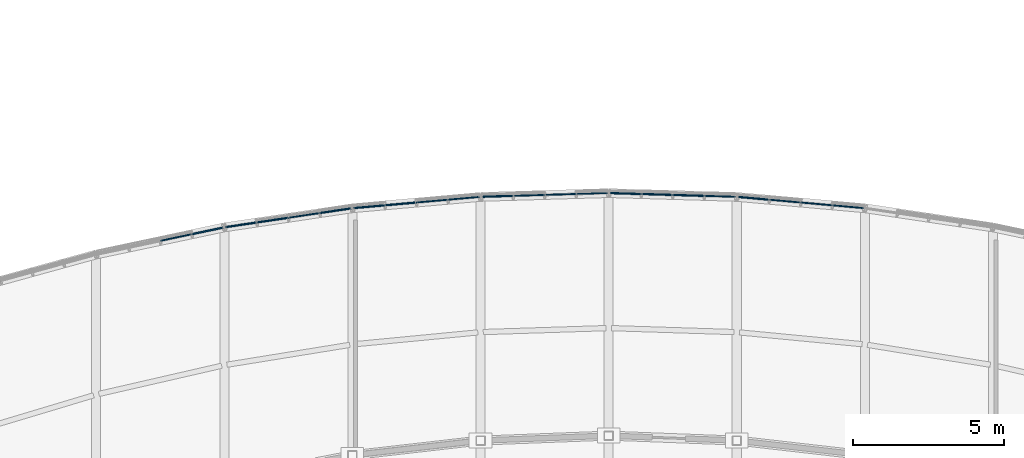
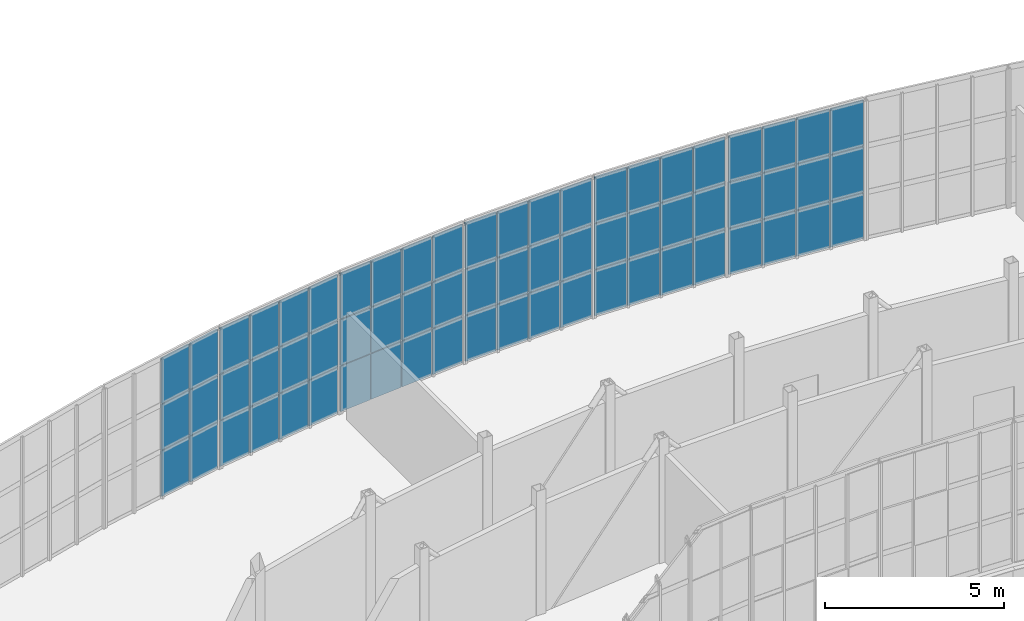
# One storey, part 45 of 66: 66 plates, 6 elements without a shape of their own.
"""IFC4 building model written with IfcOpenShell, lengths in metres."""

from ifc_helpers import new_model, si_unit, direction, frame, origin, origin_2d, place, context, subcontext, project, spatial, rectangle, extrude, material, layer, layer_set, type_object, element, aggregate, save


model = new_model("IFC4")

# Units and contexts
model_context = context("Model", 3, precision=1e-05, world=origin(), true_north=direction((0.0, 1.0)))
body_context = subcontext(model_context, "Body", "Model", "MODEL_VIEW")
ifc_project = project(units=[si_unit("LENGTHUNIT", "METRE"), si_unit("AREAUNIT", "SQUARE_METRE"), si_unit("VOLUMEUNIT", "CUBIC_METRE"), si_unit("PLANEANGLEUNIT", "RADIAN"), si_unit("MASSUNIT", "GRAM", prefix="KILO")], contexts=[model_context])

# Site, building, storey
site_placement = place(None, origin())
site = spatial("IfcSite", under=ifc_project, at=site_placement, CompositionType="ELEMENT")
building_placement = place(site_placement, origin())
building = spatial("IfcBuilding", under=site, at=building_placement, Name="Solvikara Media Centre", CompositionType="ELEMENT")
storey_placement = place(building_placement, frame((0.0, 0.0, 19.800048828125)))
storey = spatial("IfcBuildingStorey", under=building, at=storey_placement, Name="L04", CompositionType="ELEMENT", Elevation=19.800048828125)

# Curtain wall, plate
ifc_material_1 = material(Name="Anodised aluminium EN AW-6063", Category="aluminium")
curtain_wall_type = type_object("IfcCurtainWallType", Name="CW-02", PredefinedType="NOTDEFINED", material=ifc_material_1)
curtain_wall_1_placement = place(storey_placement, origin())
curtain_wall_1 = element("IfcCurtainWall", 1, at=curtain_wall_1_placement, inside=storey, type_object=curtain_wall_type, Name="CW-L04-NARC-02", PredefinedType="NOTDEFINED")
ifc_material_2 = material(Name="Laminated solar-control cyan vision glass", Category="glass")
ifc_layer_1 = layer(ifc_material_2, 0.035888671875)
ifc_layer_set_1 = layer_set([ifc_layer_1], Name="Laminated solar-control cyan vision glass")
plate_type_1 = type_object("IfcPlateType", Name="PN-01", PredefinedType="CURTAIN_PANEL", material=ifc_layer_set_1)
plate_1_placement = place(storey_placement, frame((87.64794921875, 39.990966796875, 1.62158203125), z_axis=(0.0, 0.0, 1.0), x_axis=(0.97837923005, 0.206818959981, 0.0)))
plate_1 = element("IfcPlate", 2, at=plate_1_placement, type_object=plate_type_1, Name="CW-L04-NARC-02-P0201", PredefinedType="CURTAIN_PANEL", context=body_context, shape_type="SweptSolid", body=[
    extrude(rectangle(XDim=1.0390625, YDim=0.035888671875, at=origin_2d()), origin(), (0.0, 0.0, 1.0), 1.556884765625),
])

# Curtain wall, plates
curtain_wall_2_placement = place(storey_placement, origin())
curtain_wall_2 = element("IfcCurtainWall", 3, at=curtain_wall_2_placement, inside=storey, type_object=curtain_wall_type, Name="CW-L04-NARC-03", PredefinedType="NOTDEFINED")
plate_2_placement = place(storey_placement, frame((89.806884765625, 40.412109375, 0.03466796875), z_axis=(0.0, 0.0, 1.0), x_axis=(0.989005541908, 0.147878457102, 0.0)))
plate_2 = element("IfcPlate", 4, at=plate_2_placement, type_object=plate_type_1, Name="CW-L04-NARC-03-P0000", PredefinedType="CURTAIN_PANEL", context=body_context, shape_type="SweptSolid", body=[
    extrude(rectangle(XDim=1.027099609375, YDim=0.035888671875, at=origin_2d()), origin(), (0.0, 0.0, 1.0), 1.556884765625),
])
plate_3_placement = place(storey_placement, frame((89.806884765625, 40.412109375, 3.20849609375), z_axis=(0.0, 0.0, 1.0), x_axis=(0.989005541908, 0.147878457102, 0.0)))
plate_3 = element("IfcPlate", 5, at=plate_3_placement, type_object=plate_type_1, Name="CW-L04-NARC-03-P0002", PredefinedType="CURTAIN_PANEL", context=body_context, shape_type="SweptSolid", body=[
    extrude(rectangle(XDim=1.027099609375, YDim=0.035888671875, at=origin_2d()), origin(), (0.0, 0.0, 1.0), 1.556884765625),
])
plate_4_placement = place(storey_placement, frame((90.85302734375, 40.568115234375, 1.62158203125), z_axis=(0.0, 0.0, 1.0), x_axis=(0.989005541908, 0.147878457102, 0.0)))
plate_4 = element("IfcPlate", 6, at=plate_4_placement, type_object=plate_type_1, Name="CW-L04-NARC-03-P0101", PredefinedType="CURTAIN_PANEL", context=body_context, shape_type="SweptSolid", body=[
    extrude(rectangle(XDim=1.027099609375, YDim=0.035888671875, at=origin_2d()), origin(), (0.0, 0.0, 1.0), 1.556884765625),
])
plate_5_placement = place(storey_placement, frame((90.85302734375, 40.568115234375, 3.20849609375), z_axis=(0.0, 0.0, 1.0), x_axis=(0.989005541908, 0.147878457102, 0.0)))
plate_5 = element("IfcPlate", 7, at=plate_5_placement, type_object=plate_type_1, Name="CW-L04-NARC-03-P0102", PredefinedType="CURTAIN_PANEL", context=body_context, shape_type="SweptSolid", body=[
    extrude(rectangle(XDim=1.027099609375, YDim=0.035888671875, at=origin_2d()), origin(), (0.0, 0.0, 1.0), 1.556884765625),
])
plate_6_placement = place(storey_placement, frame((91.89794921875, 40.72509765625, 1.62158203125), z_axis=(0.0, 0.0, 1.0), x_axis=(0.989005541908, 0.147878457102, 0.0)))
plate_6 = element("IfcPlate", 8, at=plate_6_placement, type_object=plate_type_1, Name="CW-L04-NARC-03-P0201", PredefinedType="CURTAIN_PANEL", context=body_context, shape_type="SweptSolid", body=[
    extrude(rectangle(XDim=1.027099609375, YDim=0.035888671875, at=origin_2d()), origin(), (0.0, 0.0, 1.0), 1.556884765625),
])
plate_7_placement = place(storey_placement, frame((91.89794921875, 40.72509765625, 3.20849609375), z_axis=(0.0, 0.0, 1.0), x_axis=(0.989005541908, 0.147878457102, 0.0)))
plate_7 = element("IfcPlate", 9, at=plate_7_placement, type_object=plate_type_1, Name="CW-L04-NARC-03-P0202", PredefinedType="CURTAIN_PANEL", context=body_context, shape_type="SweptSolid", body=[
    extrude(rectangle(XDim=1.027099609375, YDim=0.035888671875, at=origin_2d()), origin(), (0.0, 0.0, 1.0), 1.556884765625),
])

curtain_wall_3_placement = place(storey_placement, origin())
curtain_wall_3 = element("IfcCurtainWall", 10, at=curtain_wall_3_placement, inside=storey, type_object=curtain_wall_type, Name="CW-L04-NARC-04", PredefinedType="NOTDEFINED")
plate_8_placement = place(storey_placement, frame((95.10302734375, 41.10595703125, 0.03466796875), z_axis=(0.0, 0.0, 1.0), x_axis=(0.99608438842, 0.088407528781, 0.0)))
plate_8 = element("IfcPlate", 11, at=plate_8_placement, type_object=plate_type_1, Name="CW-L04-NARC-04-P0100", PredefinedType="CURTAIN_PANEL", context=body_context, shape_type="SweptSolid", body=[
    extrude(rectangle(XDim=1.01904296875, YDim=0.035888671875, at=origin_2d()), origin(), (0.0, 0.0, 1.0), 1.556884765625),
])
plate_9_placement = place(storey_placement, frame((96.14794921875, 41.198974609375, 1.62158203125), z_axis=(0.0, 0.0, 1.0), x_axis=(0.99608438842, 0.088407528781, 0.0)))
plate_9 = element("IfcPlate", 12, at=plate_9_placement, type_object=plate_type_1, Name="CW-L04-NARC-04-P0201", PredefinedType="CURTAIN_PANEL", context=body_context, shape_type="SweptSolid", body=[
    extrude(rectangle(XDim=1.01904296875, YDim=0.035888671875, at=origin_2d()), origin(), (0.0, 0.0, 1.0), 1.556884765625),
])
plate_10_placement = place(storey_placement, frame((96.14794921875, 41.198974609375, 3.20849609375), z_axis=(0.0, 0.0, 1.0), x_axis=(0.99608438842, 0.088407528781, 0.0)))
plate_10 = element("IfcPlate", 13, at=plate_10_placement, type_object=plate_type_1, Name="CW-L04-NARC-04-P0202", PredefinedType="CURTAIN_PANEL", context=body_context, shape_type="SweptSolid", body=[
    extrude(rectangle(XDim=1.01904296875, YDim=0.035888671875, at=origin_2d()), origin(), (0.0, 0.0, 1.0), 1.556884765625),
])
plate_11_placement = place(storey_placement, frame((97.193115234375, 41.2919921875, 0.03466796875), z_axis=(0.0, 0.0, 1.0), x_axis=(0.99608438842, 0.088407528781, 0.0)))
plate_11 = element("IfcPlate", 14, at=plate_11_placement, type_object=plate_type_1, Name="CW-L04-NARC-04-P0300", PredefinedType="CURTAIN_PANEL", context=body_context, shape_type="SweptSolid", body=[
    extrude(rectangle(XDim=1.01904296875, YDim=0.035888671875, at=origin_2d()), origin(), (0.0, 0.0, 1.0), 1.556884765625),
])
plate_12_placement = place(storey_placement, frame((97.193115234375, 41.2919921875, 3.20849609375), z_axis=(0.0, 0.0, 1.0), x_axis=(0.99608438842, 0.088407528781, 0.0)))
plate_12 = element("IfcPlate", 15, at=plate_12_placement, type_object=plate_type_1, Name="CW-L04-NARC-04-P0302", PredefinedType="CURTAIN_PANEL", context=body_context, shape_type="SweptSolid", body=[
    extrude(rectangle(XDim=1.01904296875, YDim=0.035888671875, at=origin_2d()), origin(), (0.0, 0.0, 1.0), 1.556884765625),
])

curtain_wall_4_placement = place(storey_placement, origin())
curtain_wall_4 = element("IfcCurtainWall", 16, at=curtain_wall_4_placement, inside=storey, type_object=curtain_wall_type, Name="CW-L04-NARC-05", PredefinedType="NOTDEFINED")
plate_13_placement = place(storey_placement, frame((99.35205078125, 41.387939453125, 3.20849609375), z_axis=(0.0, 0.0, 1.0), x_axis=(0.999560377741, 0.02964879847, 0.0)))
plate_13 = element("IfcPlate", 17, at=plate_13_placement, type_object=plate_type_1, Name="CW-L04-NARC-05-P0102", PredefinedType="CURTAIN_PANEL", context=body_context, shape_type="SweptSolid", body=[
    extrude(rectangle(XDim=1.014892578125, YDim=0.035888671875, at=origin_2d()), origin(), (0.0, 0.0, 1.0), 1.556884765625),
])
plate_14_placement = place(storey_placement, frame((100.39794921875, 41.419921875, 0.03466796875), z_axis=(0.0, 0.0, 1.0), x_axis=(0.999560377741, 0.02964879847, 0.0)))
plate_14 = element("IfcPlate", 18, at=plate_14_placement, type_object=plate_type_1, Name="CW-L04-NARC-05-P0200", PredefinedType="CURTAIN_PANEL", context=body_context, shape_type="SweptSolid", body=[
    extrude(rectangle(XDim=1.014892578125, YDim=0.035888671875, at=origin_2d()), origin(), (0.0, 0.0, 1.0), 1.556884765625),
])
plate_15_placement = place(storey_placement, frame((100.39794921875, 41.419921875, 1.62158203125), z_axis=(0.0, 0.0, 1.0), x_axis=(0.999560377741, 0.02964879847, 0.0)))
plate_15 = element("IfcPlate", 19, at=plate_15_placement, type_object=plate_type_1, Name="CW-L04-NARC-05-P0201", PredefinedType="CURTAIN_PANEL", context=body_context, shape_type="SweptSolid", body=[
    extrude(rectangle(XDim=1.014892578125, YDim=0.035888671875, at=origin_2d()), origin(), (0.0, 0.0, 1.0), 1.556884765625),
])
plate_16_placement = place(storey_placement, frame((101.44189453125, 41.449951171875, 0.03466796875), z_axis=(0.0, 0.0, 1.0), x_axis=(0.999560377741, 0.02964879847, 0.0)))
plate_16 = element("IfcPlate", 20, at=plate_16_placement, type_object=plate_type_1, Name="CW-L04-NARC-05-P0300", PredefinedType="CURTAIN_PANEL", context=body_context, shape_type="SweptSolid", body=[
    extrude(rectangle(XDim=1.014892578125, YDim=0.035888671875, at=origin_2d()), origin(), (0.0, 0.0, 1.0), 1.556884765625),
])
plate_17_placement = place(storey_placement, frame((101.44189453125, 41.449951171875, 1.62158203125), z_axis=(0.0, 0.0, 1.0), x_axis=(0.999560377741, 0.02964879847, 0.0)))
plate_17 = element("IfcPlate", 21, at=plate_17_placement, type_object=plate_type_1, Name="CW-L04-NARC-05-P0301", PredefinedType="CURTAIN_PANEL", context=body_context, shape_type="SweptSolid", body=[
    extrude(rectangle(XDim=1.014892578125, YDim=0.035888671875, at=origin_2d()), origin(), (0.0, 0.0, 1.0), 1.556884765625),
])
plate_18_placement = place(storey_placement, frame((101.44189453125, 41.449951171875, 3.20849609375), z_axis=(0.0, 0.0, 1.0), x_axis=(0.999560377741, 0.02964879847, 0.0)))
plate_18 = element("IfcPlate", 22, at=plate_18_placement, type_object=plate_type_1, Name="CW-L04-NARC-05-P0302", PredefinedType="CURTAIN_PANEL", context=body_context, shape_type="SweptSolid", body=[
    extrude(rectangle(XDim=1.014892578125, YDim=0.035888671875, at=origin_2d()), origin(), (0.0, 0.0, 1.0), 1.556884765625),
])

curtain_wall_5_placement = place(storey_placement, origin())
curtain_wall_5 = element("IfcCurtainWall", 23, at=curtain_wall_5_placement, inside=storey, type_object=curtain_wall_type, Name="CW-L04-NARC-06", PredefinedType="NOTDEFINED")
plate_19_placement = place(storey_placement, frame((103.60205078125, 41.419921875, 1.62158203125), z_axis=(0.0, 0.0, 1.0), x_axis=(0.999560377741, -0.02964879847, 0.0)))
plate_19 = element("IfcPlate", 24, at=plate_19_placement, type_object=plate_type_1, Name="CW-L04-NARC-06-P0101", PredefinedType="CURTAIN_PANEL", context=body_context, shape_type="SweptSolid", body=[
    extrude(rectangle(XDim=1.014892578125, YDim=0.035888671875, at=origin_2d()), origin(), (0.0, 0.0, 1.0), 1.556884765625),
])
plate_20_placement = place(storey_placement, frame((105.69189453125, 41.35791015625, 1.62158203125), z_axis=(0.0, 0.0, 1.0), x_axis=(0.999560377741, -0.02964879847, 0.0)))
plate_20 = element("IfcPlate", 25, at=plate_20_placement, type_object=plate_type_1, Name="CW-L04-NARC-06-P0301", PredefinedType="CURTAIN_PANEL", context=body_context, shape_type="SweptSolid", body=[
    extrude(rectangle(XDim=1.014892578125, YDim=0.035888671875, at=origin_2d()), origin(), (0.0, 0.0, 1.0), 1.556884765625),
])

curtain_wall_6_placement = place(storey_placement, origin())
curtain_wall_6 = element("IfcCurtainWall", 26, at=curtain_wall_6_placement, inside=storey, type_object=curtain_wall_type, Name="CW-L04-NARC-07", PredefinedType="NOTDEFINED")
plate_21_placement = place(storey_placement, frame((106.80810546875, 41.2919921875, 3.20849609375), z_axis=(0.0, 0.0, 1.0), x_axis=(0.99608438842, -0.088407528781, 0.0)))
plate_21 = element("IfcPlate", 27, at=plate_21_placement, type_object=plate_type_1, Name="CW-L04-NARC-07-P0002", PredefinedType="CURTAIN_PANEL", context=body_context, shape_type="SweptSolid", body=[
    extrude(rectangle(XDim=1.01904296875, YDim=0.035888671875, at=origin_2d()), origin(), (0.0, 0.0, 1.0), 1.556884765625),
])
plate_22_placement = place(storey_placement, frame((107.85302734375, 41.198974609375, 0.03466796875), z_axis=(0.0, 0.0, 1.0), x_axis=(0.99608438842, -0.088407528781, 0.0)))
plate_22 = element("IfcPlate", 28, at=plate_22_placement, type_object=plate_type_1, Name="CW-L04-NARC-07-P0100", PredefinedType="CURTAIN_PANEL", context=body_context, shape_type="SweptSolid", body=[
    extrude(rectangle(XDim=1.01904296875, YDim=0.035888671875, at=origin_2d()), origin(), (0.0, 0.0, 1.0), 1.556884765625),
])
plate_23_placement = place(storey_placement, frame((107.85302734375, 41.198974609375, 3.20849609375), z_axis=(0.0, 0.0, 1.0), x_axis=(0.99608438842, -0.088407528781, 0.0)))
plate_23 = element("IfcPlate", 29, at=plate_23_placement, type_object=plate_type_1, Name="CW-L04-NARC-07-P0102", PredefinedType="CURTAIN_PANEL", context=body_context, shape_type="SweptSolid", body=[
    extrude(rectangle(XDim=1.01904296875, YDim=0.035888671875, at=origin_2d()), origin(), (0.0, 0.0, 1.0), 1.556884765625),
])
plate_24_placement = place(storey_placement, frame((108.89794921875, 41.10595703125, 1.62158203125), z_axis=(0.0, 0.0, 1.0), x_axis=(0.99608438842, -0.088407528781, 0.0)))
plate_24 = element("IfcPlate", 30, at=plate_24_placement, type_object=plate_type_1, Name="CW-L04-NARC-07-P0201", PredefinedType="CURTAIN_PANEL", context=body_context, shape_type="SweptSolid", body=[
    extrude(rectangle(XDim=1.01904296875, YDim=0.035888671875, at=origin_2d()), origin(), (0.0, 0.0, 1.0), 1.556884765625),
])
plate_25_placement = place(storey_placement, frame((109.943115234375, 41.012939453125, 0.03466796875), z_axis=(0.0, 0.0, 1.0), x_axis=(0.99608438842, -0.088407528781, 0.0)))
plate_25 = element("IfcPlate", 31, at=plate_25_placement, type_object=plate_type_1, Name="CW-L04-NARC-07-P0300", PredefinedType="CURTAIN_PANEL", context=body_context, shape_type="SweptSolid", body=[
    extrude(rectangle(XDim=1.01904296875, YDim=0.035888671875, at=origin_2d()), origin(), (0.0, 0.0, 1.0), 1.556884765625),
])

# Plate
ifc_material_3 = material(Name="Ceramic-fritted teal low-E glass", Category="glass")
ifc_layer_2 = layer(ifc_material_3, 0.0419921875)
ifc_layer_set_2 = layer_set([ifc_layer_2], Name="Ceramic-fritted teal low-E glass")
plate_type_2 = type_object("IfcPlateType", Name="PN-02", PredefinedType="CURTAIN_PANEL", material=ifc_layer_set_2)
plate_26_placement = place(storey_placement, frame((87.64794921875, 39.990966796875, 0.03466796875), z_axis=(0.0, 0.0, 1.0), x_axis=(0.97837923005, 0.206818959981, 0.0)))
plate_26 = element("IfcPlate", 32, at=plate_26_placement, type_object=plate_type_2, Name="CW-L04-NARC-02-P0200", PredefinedType="CURTAIN_PANEL", context=body_context, shape_type="SweptSolid", body=[
    extrude(rectangle(XDim=1.0390625, YDim=0.0419921875, at=origin_2d()), origin(), (0.0, 0.0, 1.0), 1.556884765625),
])

plate_27_placement = place(storey_placement, frame((87.64794921875, 39.990966796875, 3.20849609375), z_axis=(0.0, 0.0, 1.0), x_axis=(0.97837923005, 0.206818959981, 0.0)))
plate_27 = element("IfcPlate", 33, at=plate_27_placement, type_object=plate_type_2, Name="CW-L04-NARC-02-P0202", PredefinedType="CURTAIN_PANEL", context=body_context, shape_type="SweptSolid", body=[
    extrude(rectangle(XDim=1.0390625, YDim=0.0419921875, at=origin_2d()), origin(), (0.0, 0.0, 1.0), 1.556884765625),
])

plate_28_placement = place(storey_placement, frame((88.693115234375, 40.2109375, 0.03466796875), z_axis=(0.0, 0.0, 1.0), x_axis=(0.97837923005, 0.206818959981, 0.0)))
plate_28 = element("IfcPlate", 34, at=plate_28_placement, type_object=plate_type_2, Name="CW-L04-NARC-02-P0300", PredefinedType="CURTAIN_PANEL", context=body_context, shape_type="SweptSolid", body=[
    extrude(rectangle(XDim=1.0390625, YDim=0.0419921875, at=origin_2d()), origin(), (0.0, 0.0, 1.0), 1.556884765625),
])

plate_29_placement = place(storey_placement, frame((91.89794921875, 40.72509765625, 0.03466796875), z_axis=(0.0, 0.0, 1.0), x_axis=(0.989005541908, 0.147878457102, 0.0)))
plate_29 = element("IfcPlate", 35, at=plate_29_placement, type_object=plate_type_2, Name="CW-L04-NARC-03-P0200", PredefinedType="CURTAIN_PANEL", context=body_context, shape_type="SweptSolid", body=[
    extrude(rectangle(XDim=1.027099609375, YDim=0.0419921875, at=origin_2d()), origin(), (0.0, 0.0, 1.0), 1.556884765625),
])

plate_30_placement = place(storey_placement, frame((92.94189453125, 40.881103515625, 0.03466796875), z_axis=(0.0, 0.0, 1.0), x_axis=(0.989005541908, 0.147878457102, 0.0)))
plate_30 = element("IfcPlate", 36, at=plate_30_placement, type_object=plate_type_2, Name="CW-L04-NARC-03-P0300", PredefinedType="CURTAIN_PANEL", context=body_context, shape_type="SweptSolid", body=[
    extrude(rectangle(XDim=1.027099609375, YDim=0.0419921875, at=origin_2d()), origin(), (0.0, 0.0, 1.0), 1.556884765625),
])

plate_31_placement = place(storey_placement, frame((92.94189453125, 40.881103515625, 3.20849609375), z_axis=(0.0, 0.0, 1.0), x_axis=(0.989005541908, 0.147878457102, 0.0)))
plate_31 = element("IfcPlate", 37, at=plate_31_placement, type_object=plate_type_2, Name="CW-L04-NARC-03-P0302", PredefinedType="CURTAIN_PANEL", context=body_context, shape_type="SweptSolid", body=[
    extrude(rectangle(XDim=1.027099609375, YDim=0.0419921875, at=origin_2d()), origin(), (0.0, 0.0, 1.0), 1.556884765625),
])

plate_32_placement = place(storey_placement, frame((94.05810546875, 41.012939453125, 0.03466796875), z_axis=(0.0, 0.0, 1.0), x_axis=(0.99608438842, 0.088407528781, 0.0)))
plate_32 = element("IfcPlate", 38, at=plate_32_placement, type_object=plate_type_2, Name="CW-L04-NARC-04-P0000", PredefinedType="CURTAIN_PANEL", context=body_context, shape_type="SweptSolid", body=[
    extrude(rectangle(XDim=1.01904296875, YDim=0.0419921875, at=origin_2d()), origin(), (0.0, 0.0, 1.0), 1.556884765625),
])

plate_33_placement = place(storey_placement, frame((94.05810546875, 41.012939453125, 3.20849609375), z_axis=(0.0, 0.0, 1.0), x_axis=(0.99608438842, 0.088407528781, 0.0)))
plate_33 = element("IfcPlate", 39, at=plate_33_placement, type_object=plate_type_2, Name="CW-L04-NARC-04-P0002", PredefinedType="CURTAIN_PANEL", context=body_context, shape_type="SweptSolid", body=[
    extrude(rectangle(XDim=1.01904296875, YDim=0.0419921875, at=origin_2d()), origin(), (0.0, 0.0, 1.0), 1.556884765625),
])

plate_34_placement = place(storey_placement, frame((95.10302734375, 41.10595703125, 1.62158203125), z_axis=(0.0, 0.0, 1.0), x_axis=(0.99608438842, 0.088407528781, 0.0)))
plate_34 = element("IfcPlate", 40, at=plate_34_placement, type_object=plate_type_2, Name="CW-L04-NARC-04-P0101", PredefinedType="CURTAIN_PANEL", context=body_context, shape_type="SweptSolid", body=[
    extrude(rectangle(XDim=1.01904296875, YDim=0.0419921875, at=origin_2d()), origin(), (0.0, 0.0, 1.0), 1.556884765625),
])

plate_35_placement = place(storey_placement, frame((96.14794921875, 41.198974609375, 0.03466796875), z_axis=(0.0, 0.0, 1.0), x_axis=(0.99608438842, 0.088407528781, 0.0)))
plate_35 = element("IfcPlate", 41, at=plate_35_placement, type_object=plate_type_2, Name="CW-L04-NARC-04-P0200", PredefinedType="CURTAIN_PANEL", context=body_context, shape_type="SweptSolid", body=[
    extrude(rectangle(XDim=1.01904296875, YDim=0.0419921875, at=origin_2d()), origin(), (0.0, 0.0, 1.0), 1.556884765625),
])

plate_36_placement = place(storey_placement, frame((97.193115234375, 41.2919921875, 1.62158203125), z_axis=(0.0, 0.0, 1.0), x_axis=(0.99608438842, 0.088407528781, 0.0)))
plate_36 = element("IfcPlate", 42, at=plate_36_placement, type_object=plate_type_2, Name="CW-L04-NARC-04-P0301", PredefinedType="CURTAIN_PANEL", context=body_context, shape_type="SweptSolid", body=[
    extrude(rectangle(XDim=1.01904296875, YDim=0.0419921875, at=origin_2d()), origin(), (0.0, 0.0, 1.0), 1.556884765625),
])

plate_37_placement = place(storey_placement, frame((98.30810546875, 41.35791015625, 0.03466796875), z_axis=(0.0, 0.0, 1.0), x_axis=(0.999560377741, 0.02964879847, 0.0)))
plate_37 = element("IfcPlate", 43, at=plate_37_placement, type_object=plate_type_2, Name="CW-L04-NARC-05-P0000", PredefinedType="CURTAIN_PANEL", context=body_context, shape_type="SweptSolid", body=[
    extrude(rectangle(XDim=1.014892578125, YDim=0.0419921875, at=origin_2d()), origin(), (0.0, 0.0, 1.0), 1.556884765625),
])

plate_38_placement = place(storey_placement, frame((98.30810546875, 41.35791015625, 1.62158203125), z_axis=(0.0, 0.0, 1.0), x_axis=(0.999560377741, 0.02964879847, 0.0)))
plate_38 = element("IfcPlate", 44, at=plate_38_placement, type_object=plate_type_2, Name="CW-L04-NARC-05-P0001", PredefinedType="CURTAIN_PANEL", context=body_context, shape_type="SweptSolid", body=[
    extrude(rectangle(XDim=1.014892578125, YDim=0.0419921875, at=origin_2d()), origin(), (0.0, 0.0, 1.0), 1.556884765625),
])

plate_39_placement = place(storey_placement, frame((99.35205078125, 41.387939453125, 0.03466796875), z_axis=(0.0, 0.0, 1.0), x_axis=(0.999560377741, 0.02964879847, 0.0)))
plate_39 = element("IfcPlate", 45, at=plate_39_placement, type_object=plate_type_2, Name="CW-L04-NARC-05-P0100", PredefinedType="CURTAIN_PANEL", context=body_context, shape_type="SweptSolid", body=[
    extrude(rectangle(XDim=1.014892578125, YDim=0.0419921875, at=origin_2d()), origin(), (0.0, 0.0, 1.0), 1.556884765625),
])

plate_40_placement = place(storey_placement, frame((99.35205078125, 41.387939453125, 1.62158203125), z_axis=(0.0, 0.0, 1.0), x_axis=(0.999560377741, 0.02964879847, 0.0)))
plate_40 = element("IfcPlate", 46, at=plate_40_placement, type_object=plate_type_2, Name="CW-L04-NARC-05-P0101", PredefinedType="CURTAIN_PANEL", context=body_context, shape_type="SweptSolid", body=[
    extrude(rectangle(XDim=1.014892578125, YDim=0.0419921875, at=origin_2d()), origin(), (0.0, 0.0, 1.0), 1.556884765625),
])

plate_41_placement = place(storey_placement, frame((100.39794921875, 41.419921875, 3.20849609375), z_axis=(0.0, 0.0, 1.0), x_axis=(0.999560377741, 0.02964879847, 0.0)))
plate_41 = element("IfcPlate", 47, at=plate_41_placement, type_object=plate_type_2, Name="CW-L04-NARC-05-P0202", PredefinedType="CURTAIN_PANEL", context=body_context, shape_type="SweptSolid", body=[
    extrude(rectangle(XDim=1.014892578125, YDim=0.0419921875, at=origin_2d()), origin(), (0.0, 0.0, 1.0), 1.556884765625),
])

plate_42_placement = place(storey_placement, frame((102.55810546875, 41.449951171875, 0.03466796875), z_axis=(0.0, 0.0, 1.0), x_axis=(0.999560377741, -0.02964879847, 0.0)))
plate_42 = element("IfcPlate", 48, at=plate_42_placement, type_object=plate_type_2, Name="CW-L04-NARC-06-P0000", PredefinedType="CURTAIN_PANEL", context=body_context, shape_type="SweptSolid", body=[
    extrude(rectangle(XDim=1.014892578125, YDim=0.0419921875, at=origin_2d()), origin(), (0.0, 0.0, 1.0), 1.556884765625),
])

plate_43_placement = place(storey_placement, frame((102.55810546875, 41.449951171875, 1.62158203125), z_axis=(0.0, 0.0, 1.0), x_axis=(0.999560377741, -0.02964879847, 0.0)))
plate_43 = element("IfcPlate", 49, at=plate_43_placement, type_object=plate_type_2, Name="CW-L04-NARC-06-P0001", PredefinedType="CURTAIN_PANEL", context=body_context, shape_type="SweptSolid", body=[
    extrude(rectangle(XDim=1.014892578125, YDim=0.0419921875, at=origin_2d()), origin(), (0.0, 0.0, 1.0), 1.556884765625),
])

plate_44_placement = place(storey_placement, frame((103.60205078125, 41.419921875, 0.03466796875), z_axis=(0.0, 0.0, 1.0), x_axis=(0.999560377741, -0.02964879847, 0.0)))
plate_44 = element("IfcPlate", 50, at=plate_44_placement, type_object=plate_type_2, Name="CW-L04-NARC-06-P0100", PredefinedType="CURTAIN_PANEL", context=body_context, shape_type="SweptSolid", body=[
    extrude(rectangle(XDim=1.014892578125, YDim=0.0419921875, at=origin_2d()), origin(), (0.0, 0.0, 1.0), 1.556884765625),
])

plate_45_placement = place(storey_placement, frame((104.64794921875, 41.387939453125, 1.62158203125), z_axis=(0.0, 0.0, 1.0), x_axis=(0.999560377741, -0.02964879847, 0.0)))
plate_45 = element("IfcPlate", 51, at=plate_45_placement, type_object=plate_type_2, Name="CW-L04-NARC-06-P0201", PredefinedType="CURTAIN_PANEL", context=body_context, shape_type="SweptSolid", body=[
    extrude(rectangle(XDim=1.014892578125, YDim=0.0419921875, at=origin_2d()), origin(), (0.0, 0.0, 1.0), 1.556884765625),
])

plate_46_placement = place(storey_placement, frame((104.64794921875, 41.387939453125, 3.20849609375), z_axis=(0.0, 0.0, 1.0), x_axis=(0.999560377741, -0.02964879847, 0.0)))
plate_46 = element("IfcPlate", 52, at=plate_46_placement, type_object=plate_type_2, Name="CW-L04-NARC-06-P0202", PredefinedType="CURTAIN_PANEL", context=body_context, shape_type="SweptSolid", body=[
    extrude(rectangle(XDim=1.014892578125, YDim=0.0419921875, at=origin_2d()), origin(), (0.0, 0.0, 1.0), 1.556884765625),
])

plate_47_placement = place(storey_placement, frame((105.69189453125, 41.35791015625, 0.03466796875), z_axis=(0.0, 0.0, 1.0), x_axis=(0.999560377741, -0.02964879847, 0.0)))
plate_47 = element("IfcPlate", 53, at=plate_47_placement, type_object=plate_type_2, Name="CW-L04-NARC-06-P0300", PredefinedType="CURTAIN_PANEL", context=body_context, shape_type="SweptSolid", body=[
    extrude(rectangle(XDim=1.014892578125, YDim=0.0419921875, at=origin_2d()), origin(), (0.0, 0.0, 1.0), 1.556884765625),
])

plate_48_placement = place(storey_placement, frame((105.69189453125, 41.35791015625, 3.20849609375), z_axis=(0.0, 0.0, 1.0), x_axis=(0.999560377741, -0.02964879847, 0.0)))
plate_48 = element("IfcPlate", 54, at=plate_48_placement, type_object=plate_type_2, Name="CW-L04-NARC-06-P0302", PredefinedType="CURTAIN_PANEL", context=body_context, shape_type="SweptSolid", body=[
    extrude(rectangle(XDim=1.014892578125, YDim=0.0419921875, at=origin_2d()), origin(), (0.0, 0.0, 1.0), 1.556884765625),
])

plate_49_placement = place(storey_placement, frame((106.80810546875, 41.2919921875, 0.03466796875), z_axis=(0.0, 0.0, 1.0), x_axis=(0.99608438842, -0.088407528781, 0.0)))
plate_49 = element("IfcPlate", 55, at=plate_49_placement, type_object=plate_type_2, Name="CW-L04-NARC-07-P0000", PredefinedType="CURTAIN_PANEL", context=body_context, shape_type="SweptSolid", body=[
    extrude(rectangle(XDim=1.01904296875, YDim=0.0419921875, at=origin_2d()), origin(), (0.0, 0.0, 1.0), 1.556884765625),
])

plate_50_placement = place(storey_placement, frame((107.85302734375, 41.198974609375, 1.62158203125), z_axis=(0.0, 0.0, 1.0), x_axis=(0.99608438842, -0.088407528781, 0.0)))
plate_50 = element("IfcPlate", 56, at=plate_50_placement, type_object=plate_type_2, Name="CW-L04-NARC-07-P0101", PredefinedType="CURTAIN_PANEL", context=body_context, shape_type="SweptSolid", body=[
    extrude(rectangle(XDim=1.01904296875, YDim=0.0419921875, at=origin_2d()), origin(), (0.0, 0.0, 1.0), 1.556884765625),
])

plate_51_placement = place(storey_placement, frame((108.89794921875, 41.10595703125, 0.03466796875), z_axis=(0.0, 0.0, 1.0), x_axis=(0.99608438842, -0.088407528781, 0.0)))
plate_51 = element("IfcPlate", 57, at=plate_51_placement, type_object=plate_type_2, Name="CW-L04-NARC-07-P0200", PredefinedType="CURTAIN_PANEL", context=body_context, shape_type="SweptSolid", body=[
    extrude(rectangle(XDim=1.01904296875, YDim=0.0419921875, at=origin_2d()), origin(), (0.0, 0.0, 1.0), 1.556884765625),
])

plate_52_placement = place(storey_placement, frame((108.89794921875, 41.10595703125, 3.20849609375), z_axis=(0.0, 0.0, 1.0), x_axis=(0.99608438842, -0.088407528781, 0.0)))
plate_52 = element("IfcPlate", 58, at=plate_52_placement, type_object=plate_type_2, Name="CW-L04-NARC-07-P0202", PredefinedType="CURTAIN_PANEL", context=body_context, shape_type="SweptSolid", body=[
    extrude(rectangle(XDim=1.01904296875, YDim=0.0419921875, at=origin_2d()), origin(), (0.0, 0.0, 1.0), 1.556884765625),
])

plate_53_placement = place(storey_placement, frame((109.943115234375, 41.012939453125, 1.62158203125), z_axis=(0.0, 0.0, 1.0), x_axis=(0.99608438842, -0.088407528781, 0.0)))
plate_53 = element("IfcPlate", 59, at=plate_53_placement, type_object=plate_type_2, Name="CW-L04-NARC-07-P0301", PredefinedType="CURTAIN_PANEL", context=body_context, shape_type="SweptSolid", body=[
    extrude(rectangle(XDim=1.01904296875, YDim=0.0419921875, at=origin_2d()), origin(), (0.0, 0.0, 1.0), 1.556884765625),
])

plate_54_placement = place(storey_placement, frame((109.943115234375, 41.012939453125, 3.20849609375), z_axis=(0.0, 0.0, 1.0), x_axis=(0.99608438842, -0.088407528781, 0.0)))
plate_54 = element("IfcPlate", 60, at=plate_54_placement, type_object=plate_type_2, Name="CW-L04-NARC-07-P0302", PredefinedType="CURTAIN_PANEL", context=body_context, shape_type="SweptSolid", body=[
    extrude(rectangle(XDim=1.01904296875, YDim=0.0419921875, at=origin_2d()), origin(), (0.0, 0.0, 1.0), 1.556884765625),
])

ifc_material_4 = material(Name="Insulated silver-pearl glass spandrel panel", Category="glass")
ifc_layer_3 = layer(ifc_material_4, 0.054931640625)
ifc_layer_set_3 = layer_set([ifc_layer_3], Name="Insulated silver-pearl glass spandrel panel")
plate_type_3 = type_object("IfcPlateType", Name="PN-03", PredefinedType="CURTAIN_PANEL", material=ifc_layer_set_3)
plate_55_placement = place(storey_placement, frame((88.693115234375, 40.2109375, 1.62158203125), z_axis=(0.0, 0.0, 1.0), x_axis=(0.97837923005, 0.206818959981, 0.0)))
plate_55 = element("IfcPlate", 61, at=plate_55_placement, type_object=plate_type_3, Name="CW-L04-NARC-02-P0301", PredefinedType="CURTAIN_PANEL", context=body_context, shape_type="SweptSolid", body=[
    extrude(rectangle(XDim=1.0390625, YDim=0.054931640625, at=origin_2d()), origin(), (0.0, 0.0, 1.0), 1.556884765625),
])

plate_56_placement = place(storey_placement, frame((88.693115234375, 40.2109375, 3.20849609375), z_axis=(0.0, 0.0, 1.0), x_axis=(0.97837923005, 0.206818959981, 0.0)))
plate_56 = element("IfcPlate", 62, at=plate_56_placement, type_object=plate_type_3, Name="CW-L04-NARC-02-P0302", PredefinedType="CURTAIN_PANEL", context=body_context, shape_type="SweptSolid", body=[
    extrude(rectangle(XDim=1.0390625, YDim=0.054931640625, at=origin_2d()), origin(), (0.0, 0.0, 1.0), 1.556884765625),
])

aggregate(curtain_wall_1, [plate_26, plate_1, plate_27, plate_28, plate_55, plate_56])

plate_57_placement = place(storey_placement, frame((89.806884765625, 40.412109375, 1.62158203125), z_axis=(0.0, 0.0, 1.0), x_axis=(0.989005541908, 0.147878457102, 0.0)))
plate_57 = element("IfcPlate", 63, at=plate_57_placement, type_object=plate_type_3, Name="CW-L04-NARC-03-P0001", PredefinedType="CURTAIN_PANEL", context=body_context, shape_type="SweptSolid", body=[
    extrude(rectangle(XDim=1.027099609375, YDim=0.054931640625, at=origin_2d()), origin(), (0.0, 0.0, 1.0), 1.556884765625),
])

plate_58_placement = place(storey_placement, frame((90.85302734375, 40.568115234375, 0.03466796875), z_axis=(0.0, 0.0, 1.0), x_axis=(0.989005541908, 0.147878457102, 0.0)))
plate_58 = element("IfcPlate", 64, at=plate_58_placement, type_object=plate_type_3, Name="CW-L04-NARC-03-P0100", PredefinedType="CURTAIN_PANEL", context=body_context, shape_type="SweptSolid", body=[
    extrude(rectangle(XDim=1.027099609375, YDim=0.054931640625, at=origin_2d()), origin(), (0.0, 0.0, 1.0), 1.556884765625),
])

plate_59_placement = place(storey_placement, frame((92.94189453125, 40.881103515625, 1.62158203125), z_axis=(0.0, 0.0, 1.0), x_axis=(0.989005541908, 0.147878457102, 0.0)))
plate_59 = element("IfcPlate", 65, at=plate_59_placement, type_object=plate_type_3, Name="CW-L04-NARC-03-P0301", PredefinedType="CURTAIN_PANEL", context=body_context, shape_type="SweptSolid", body=[
    extrude(rectangle(XDim=1.027099609375, YDim=0.054931640625, at=origin_2d()), origin(), (0.0, 0.0, 1.0), 1.556884765625),
])

aggregate(curtain_wall_2, [plate_2, plate_57, plate_3, plate_58, plate_4, plate_5, plate_29, plate_6, plate_7, plate_30, plate_59, plate_31])

plate_60_placement = place(storey_placement, frame((94.05810546875, 41.012939453125, 1.62158203125), z_axis=(0.0, 0.0, 1.0), x_axis=(0.99608438842, 0.088407528781, 0.0)))
plate_60 = element("IfcPlate", 66, at=plate_60_placement, type_object=plate_type_3, Name="CW-L04-NARC-04-P0001", PredefinedType="CURTAIN_PANEL", context=body_context, shape_type="SweptSolid", body=[
    extrude(rectangle(XDim=1.01904296875, YDim=0.054931640625, at=origin_2d()), origin(), (0.0, 0.0, 1.0), 1.556884765625),
])

plate_61_placement = place(storey_placement, frame((95.10302734375, 41.10595703125, 3.20849609375), z_axis=(0.0, 0.0, 1.0), x_axis=(0.99608438842, 0.088407528781, 0.0)))
plate_61 = element("IfcPlate", 67, at=plate_61_placement, type_object=plate_type_3, Name="CW-L04-NARC-04-P0102", PredefinedType="CURTAIN_PANEL", context=body_context, shape_type="SweptSolid", body=[
    extrude(rectangle(XDim=1.01904296875, YDim=0.054931640625, at=origin_2d()), origin(), (0.0, 0.0, 1.0), 1.556884765625),
])

aggregate(curtain_wall_3, [plate_32, plate_60, plate_33, plate_8, plate_34, plate_61, plate_35, plate_9, plate_10, plate_11, plate_36, plate_12])

plate_62_placement = place(storey_placement, frame((98.30810546875, 41.35791015625, 3.20849609375), z_axis=(0.0, 0.0, 1.0), x_axis=(0.999560377741, 0.02964879847, 0.0)))
plate_62 = element("IfcPlate", 68, at=plate_62_placement, type_object=plate_type_3, Name="CW-L04-NARC-05-P0002", PredefinedType="CURTAIN_PANEL", context=body_context, shape_type="SweptSolid", body=[
    extrude(rectangle(XDim=1.014892578125, YDim=0.054931640625, at=origin_2d()), origin(), (0.0, 0.0, 1.0), 1.556884765625),
])

aggregate(curtain_wall_4, [plate_37, plate_38, plate_62, plate_39, plate_40, plate_13, plate_14, plate_15, plate_41, plate_16, plate_17, plate_18])

plate_63_placement = place(storey_placement, frame((102.55810546875, 41.449951171875, 3.20849609375), z_axis=(0.0, 0.0, 1.0), x_axis=(0.999560377741, -0.02964879847, 0.0)))
plate_63 = element("IfcPlate", 69, at=plate_63_placement, type_object=plate_type_3, Name="CW-L04-NARC-06-P0002", PredefinedType="CURTAIN_PANEL", context=body_context, shape_type="SweptSolid", body=[
    extrude(rectangle(XDim=1.014892578125, YDim=0.054931640625, at=origin_2d()), origin(), (0.0, 0.0, 1.0), 1.556884765625),
])

plate_64_placement = place(storey_placement, frame((103.60205078125, 41.419921875, 3.20849609375), z_axis=(0.0, 0.0, 1.0), x_axis=(0.999560377741, -0.02964879847, 0.0)))
plate_64 = element("IfcPlate", 70, at=plate_64_placement, type_object=plate_type_3, Name="CW-L04-NARC-06-P0102", PredefinedType="CURTAIN_PANEL", context=body_context, shape_type="SweptSolid", body=[
    extrude(rectangle(XDim=1.014892578125, YDim=0.054931640625, at=origin_2d()), origin(), (0.0, 0.0, 1.0), 1.556884765625),
])

plate_65_placement = place(storey_placement, frame((104.64794921875, 41.387939453125, 0.03466796875), z_axis=(0.0, 0.0, 1.0), x_axis=(0.999560377741, -0.02964879847, 0.0)))
plate_65 = element("IfcPlate", 71, at=plate_65_placement, type_object=plate_type_3, Name="CW-L04-NARC-06-P0200", PredefinedType="CURTAIN_PANEL", context=body_context, shape_type="SweptSolid", body=[
    extrude(rectangle(XDim=1.014892578125, YDim=0.054931640625, at=origin_2d()), origin(), (0.0, 0.0, 1.0), 1.556884765625),
])

aggregate(curtain_wall_5, [plate_42, plate_43, plate_63, plate_44, plate_19, plate_64, plate_65, plate_45, plate_46, plate_47, plate_20, plate_48])

plate_66_placement = place(storey_placement, frame((106.80810546875, 41.2919921875, 1.62158203125), z_axis=(0.0, 0.0, 1.0), x_axis=(0.99608438842, -0.088407528781, 0.0)))
plate_66 = element("IfcPlate", 72, at=plate_66_placement, type_object=plate_type_3, Name="CW-L04-NARC-07-P0001", PredefinedType="CURTAIN_PANEL", context=body_context, shape_type="SweptSolid", body=[
    extrude(rectangle(XDim=1.01904296875, YDim=0.054931640625, at=origin_2d()), origin(), (0.0, 0.0, 1.0), 1.556884765625),
])

aggregate(curtain_wall_6, [plate_49, plate_66, plate_21, plate_22, plate_50, plate_23, plate_51, plate_24, plate_52, plate_25, plate_53, plate_54])

save(model, "model.ifc")
